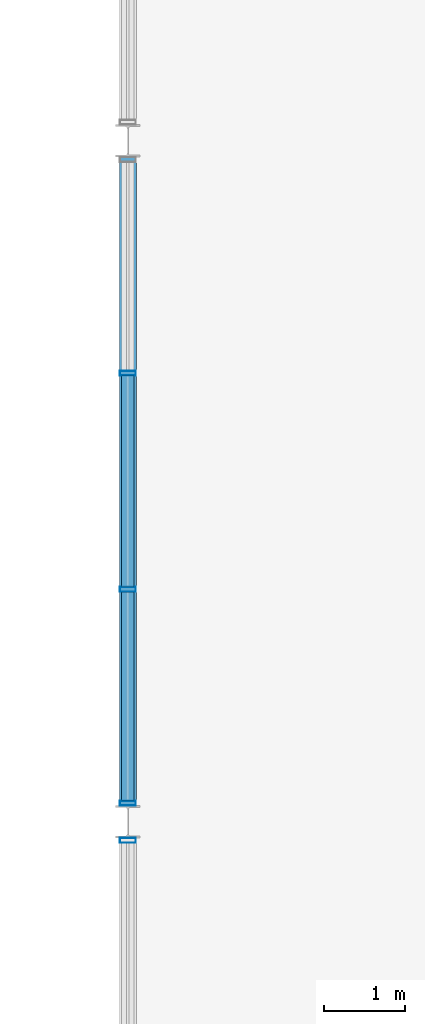
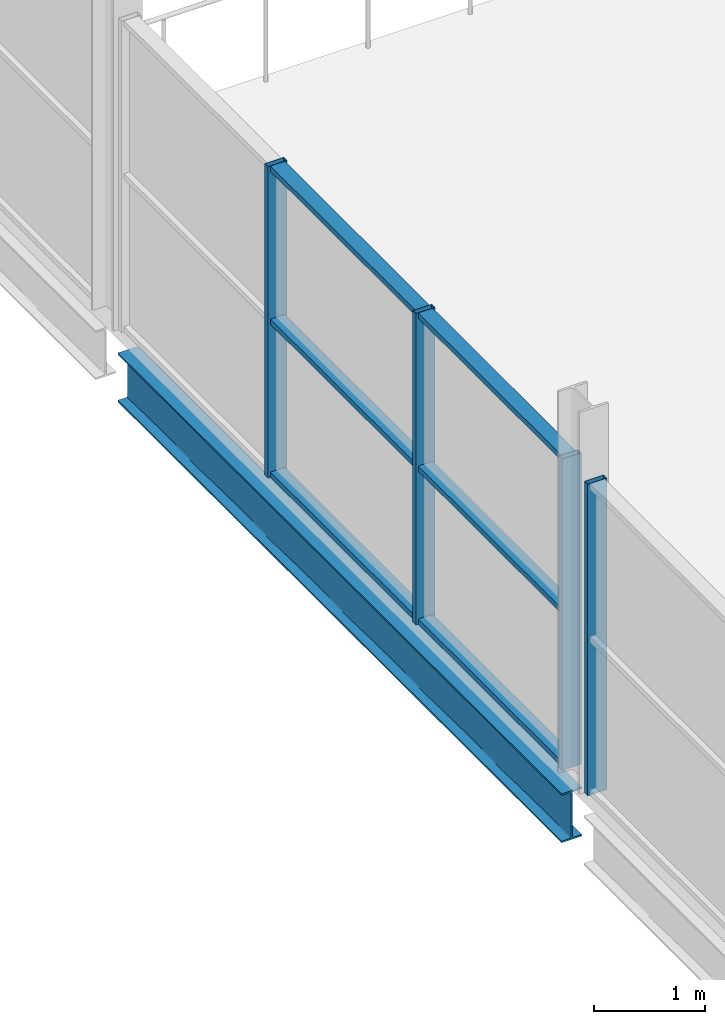
# One storey, part 14 of 68: 10 members, 1 beam, 2 elements without a shape of their own.
"""IFC4 building model written with IfcOpenShell, lengths in metres."""

from ifc_helpers import new_model, si_unit, direction, frame, origin, origin_2d, place, context, subcontext, project, spatial, hollow_rectangle, i_section, extrude, material, material_profile, profile_set, type_object, element, aggregate, save


model = new_model("IFC4")

# Units and contexts
model_context = context("Model", 3, precision=1e-05, world=origin(), true_north=direction((0.0, 1.0)))
body_context = subcontext(model_context, "Body", "Model", "MODEL_VIEW")
ifc_project = project(units=[si_unit("LENGTHUNIT", "METRE"), si_unit("AREAUNIT", "SQUARE_METRE"), si_unit("VOLUMEUNIT", "CUBIC_METRE"), si_unit("PLANEANGLEUNIT", "RADIAN"), si_unit("MASSUNIT", "GRAM", prefix="KILO"), si_unit("THERMODYNAMICTEMPERATUREUNIT", "KELVIN")], contexts=[model_context])

# Site, building, storey
site_placement = place(None, origin())
site = spatial("IfcSite", under=ifc_project, at=site_placement, CompositionType="ELEMENT")
building_placement = place(site_placement, origin())
building = spatial("IfcBuilding", under=site, at=building_placement, Name="Nduvali Passage Aquatics Centre", CompositionType="ELEMENT")
storey_placement = place(building_placement, frame((0.0, 0.0, 13.199951171875)))
storey = spatial("IfcBuildingStorey", under=building, at=storey_placement, Name="L03", CompositionType="ELEMENT", Elevation=13.199951171875)

# Curtain wall, member
ifc_material_1 = material(Name="Aluminium EN AW-6063 T6", Category="aluminium")
curtain_wall_type = type_object("IfcCurtainWallType", Name="ENV-CW-DIVE", PredefinedType="NOTDEFINED", material=ifc_material_1)
curtain_wall_1_placement = place(storey_placement, origin())
curtain_wall_1 = element("IfcCurtainWall", 1, at=curtain_wall_1_placement, inside=storey, type_object=curtain_wall_type, Name="L03 West Diving 10m Tower Clerestory CW 130", PredefinedType="NOTDEFINED")
ifc_material_profile_1 = material_profile(ifc_material_1, hollow_rectangle(XDim=0.06005859375, YDim=0.199951171875, WallThickness=0.00390625, at=origin_2d()), Name="ALU MULLION 60x200x4")
ifc_profile_set_1 = profile_set([ifc_material_profile_1], Name="Aluminium EN AW-6063 T6")
member_type_1 = type_object("IfcMemberType", Name="ENV-MEM-MUL80", PredefinedType="MULLION", material=ifc_profile_set_1)
member_1_placement = place(storey_placement, frame((0.0, 50.169921875, 0.0), z_axis=(0.0, 0.0, 1.0), x_axis=(0.0, 1.0, 0.0)))
member_1 = element("IfcMember", 2, at=member_1_placement, type_object=member_type_1, Name="West Diving 10m Tower Clerestory CW Mullion 4", PredefinedType="MULLION", context=body_context, shape_type="SweptSolid", body=[
    extrude(hollow_rectangle(XDim=0.06005859375, YDim=0.199951171875, WallThickness=0.00390625, at=origin_2d()), origin(), (0.0, 0.0, 1.0), 3.4267578125),
])
aggregate(curtain_wall_1, [member_1])

# Curtain wall, members
curtain_wall_2_placement = place(storey_placement, origin())
curtain_wall_2 = element("IfcCurtainWall", 3, at=curtain_wall_2_placement, inside=storey, type_object=curtain_wall_type, Name="L03 West Diving 10m Tower Clerestory CW 135", PredefinedType="NOTDEFINED")
member_2_placement = place(storey_placement, frame((0.0, 50.6298828125, 0.0), z_axis=(0.0, 0.0, 1.0), x_axis=(0.0, 1.0, 0.0)))
member_2 = element("IfcMember", 4, at=member_2_placement, type_object=member_type_1, Name="West Diving 10m Tower Clerestory CW Mullion 1", PredefinedType="MULLION", context=body_context, shape_type="SweptSolid", body=[
    extrude(hollow_rectangle(XDim=0.06005859375, YDim=0.199951171875, WallThickness=0.00390625, at=origin_2d()), origin(), (0.0, 0.0, 1.0), 3.4267578125),
])
member_3_placement = place(storey_placement, frame((0.0, 53.2666015625, 0.0), z_axis=(0.0, 0.0, 1.0), x_axis=(0.0, 1.0, 0.0)))
member_3 = element("IfcMember", 5, at=member_3_placement, type_object=member_type_1, Name="West Diving 10m Tower Clerestory CW Mullion 2", PredefinedType="MULLION", context=body_context, shape_type="SweptSolid", body=[
    extrude(hollow_rectangle(XDim=0.06005859375, YDim=0.199951171875, WallThickness=0.00390625, at=origin_2d()), origin(), (0.0, 0.0, 1.0), 3.4267578125),
])
member_4_placement = place(storey_placement, frame((0.0, 55.933349609375, 0.0), z_axis=(0.0, 0.0, 1.0), x_axis=(0.0, 1.0, 0.0)))
member_4 = element("IfcMember", 6, at=member_4_placement, type_object=member_type_1, Name="West Diving 10m Tower Clerestory CW Mullion 3", PredefinedType="MULLION", context=body_context, shape_type="SweptSolid", body=[
    extrude(hollow_rectangle(XDim=0.06005859375, YDim=0.199951171875, WallThickness=0.00390625, at=origin_2d()), origin(), (0.0, 0.0, 1.0), 3.4267578125),
])
ifc_material_profile_2 = material_profile(ifc_material_1, hollow_rectangle(XDim=0.14990234375, YDim=0.06005859375, WallThickness=0.00390625, at=origin_2d()), Name="ALU TRANSOM 150x60x4")
ifc_profile_set_2 = profile_set([ifc_material_profile_2], Name="Aluminium EN AW-6063 T6")
member_type_2 = type_object("IfcMemberType", Name="ENV-MEM-TRN80", PredefinedType="USERDEFINED", material=ifc_profile_set_2)
member_5_placement = place(storey_placement, frame((0.0, 50.659912109375, 0.030029296875), z_axis=(0.0, 1.0, 0.0), x_axis=(-1.0, 0.0, 0.0)))
member_5 = element("IfcMember", 7, at=member_5_placement, type_object=member_type_2, Name="West Diving 10m Tower Clerestory CW Transom B1-R0", ObjectType="TRANSOM", PredefinedType="USERDEFINED", context=body_context, shape_type="SweptSolid", body=[
    extrude(hollow_rectangle(XDim=0.14990234375, YDim=0.06005859375, WallThickness=0.00390625, at=origin_2d()), origin(), (0.0, 0.0, 1.0), 2.576904296875),
])
member_6_placement = place(storey_placement, frame((0.0, 50.659912109375, 1.71337890625), z_axis=(0.0, 1.0, 0.0), x_axis=(-1.0, 0.0, 0.0)))
member_6 = element("IfcMember", 8, at=member_6_placement, type_object=member_type_2, Name="West Diving 10m Tower Clerestory CW Transom B1-R1", ObjectType="TRANSOM", PredefinedType="USERDEFINED", context=body_context, shape_type="SweptSolid", body=[
    extrude(hollow_rectangle(XDim=0.14990234375, YDim=0.06005859375, WallThickness=0.00390625, at=origin_2d()), origin(), (0.0, 0.0, 1.0), 2.576904296875),
])
member_7_placement = place(storey_placement, frame((0.0, 50.659912109375, 3.396728515625), z_axis=(0.0, 1.0, 0.0), x_axis=(-1.0, 0.0, 0.0)))
member_7 = element("IfcMember", 9, at=member_7_placement, type_object=member_type_2, Name="West Diving 10m Tower Clerestory CW Transom B1-R2", ObjectType="TRANSOM", PredefinedType="USERDEFINED", context=body_context, shape_type="SweptSolid", body=[
    extrude(hollow_rectangle(XDim=0.14990234375, YDim=0.06005859375, WallThickness=0.00390625, at=origin_2d()), origin(), (0.0, 0.0, 1.0), 2.576904296875),
])
member_8_placement = place(storey_placement, frame((0.0, 53.296630859375, 0.030029296875), z_axis=(0.0, 1.0, 0.0), x_axis=(-1.0, 0.0, 0.0)))
member_8 = element("IfcMember", 10, at=member_8_placement, type_object=member_type_2, Name="West Diving 10m Tower Clerestory CW Transom B2-R0", ObjectType="TRANSOM", PredefinedType="USERDEFINED", context=body_context, shape_type="SweptSolid", body=[
    extrude(hollow_rectangle(XDim=0.14990234375, YDim=0.06005859375, WallThickness=0.00390625, at=origin_2d()), origin(), (0.0, 0.0, 1.0), 2.606689453125),
])
member_9_placement = place(storey_placement, frame((0.0, 53.296630859375, 1.71337890625), z_axis=(0.0, 1.0, 0.0), x_axis=(-1.0, 0.0, 0.0)))
member_9 = element("IfcMember", 11, at=member_9_placement, type_object=member_type_2, Name="West Diving 10m Tower Clerestory CW Transom B2-R1", ObjectType="TRANSOM", PredefinedType="USERDEFINED", context=body_context, shape_type="SweptSolid", body=[
    extrude(hollow_rectangle(XDim=0.14990234375, YDim=0.06005859375, WallThickness=0.00390625, at=origin_2d()), origin(), (0.0, 0.0, 1.0), 2.606689453125),
])
member_10_placement = place(storey_placement, frame((0.0, 53.296630859375, 3.396728515625), z_axis=(0.0, 1.0, 0.0), x_axis=(-1.0, 0.0, 0.0)))
member_10 = element("IfcMember", 12, at=member_10_placement, type_object=member_type_2, Name="West Diving 10m Tower Clerestory CW Transom B2-R2", ObjectType="TRANSOM", PredefinedType="USERDEFINED", context=body_context, shape_type="SweptSolid", body=[
    extrude(hollow_rectangle(XDim=0.14990234375, YDim=0.06005859375, WallThickness=0.00390625, at=origin_2d()), origin(), (0.0, 0.0, 1.0), 2.606689453125),
])
aggregate(curtain_wall_2, [member_2, member_3, member_4, member_5, member_6, member_7, member_8, member_9, member_10])

# Beam
ifc_material_2 = material(Name="Steel S355", Category="steel")
ifc_material_profile_3 = material_profile(ifc_material_2, i_section(OverallWidth=0.210693359375, OverallDepth=0.53955078125, WebThickness=0.01171875, FlangeThickness=0.018798828125, FilletRadius=0.0126953125, at=origin_2d()), Name="UKB 533x210x109")
ifc_profile_set_3 = profile_set([ifc_material_profile_3], Name="Steel S355")
beam_type = type_object("IfcBeamType", Name="STR-BM-UKB533-EXT", PredefinedType="BEAM", material=ifc_profile_set_3)
beam_placement = place(storey_placement, frame((0.0, 50.60009765625, -0.523681640625), z_axis=(0.0, 1.0, 0.0), x_axis=(-1.0, 0.0, 0.0)))
element("IfcBeam", 13, at=beam_placement, inside=storey, type_object=beam_type, Name="L03 Primary Y-Girder B6E-1241", PredefinedType="BEAM", context=body_context, shape_type="SweptSolid", body=[
    extrude(i_section(OverallWidth=0.210693359375, OverallDepth=0.53955078125, WebThickness=0.01171875, FlangeThickness=0.018798828125, FilletRadius=0.0126953125, at=origin_2d()), origin(), (0.0, 0.0, 1.0), 8.0),
])

save(model, "model.ifc")
